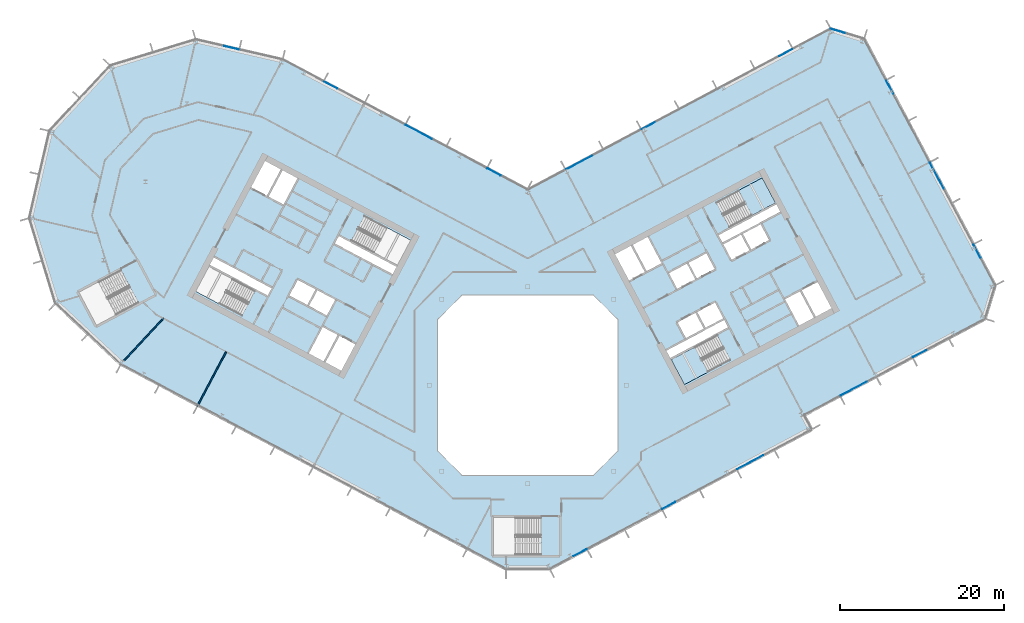
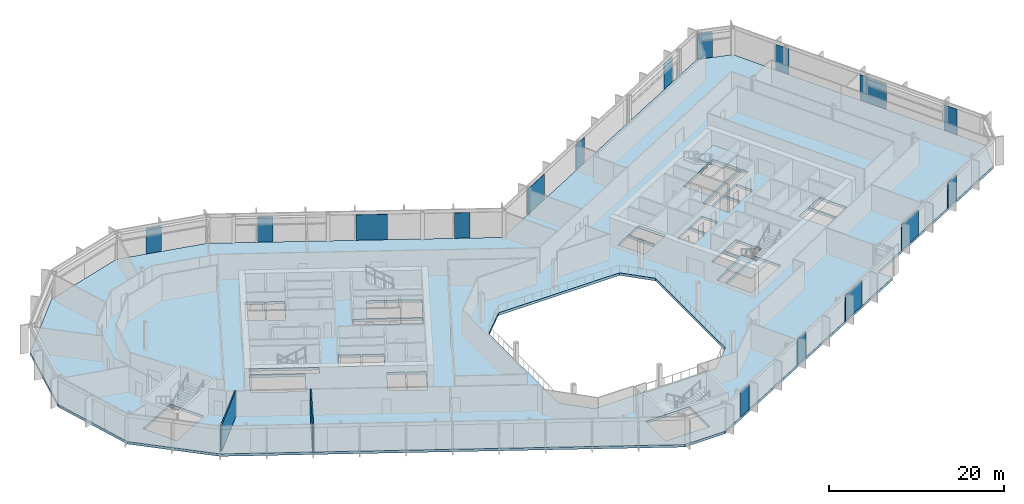
# One storey, part 12 of 28: 16 plates, 3 slabs, 2 walls, 9 elements without a shape of their own.
"""IFC4 building model written with IfcOpenShell, lengths in metres."""

from ifc_helpers import new_model, si_unit, direction, frame, frame_2d, origin, origin_2d, place, context, subcontext, project, spatial, polyline, rectangle, outline, extrude, material, layer, layer_set, type_object, element, aggregate, save


model = new_model("IFC4")

# Units and contexts
model_context = context("Model", 3, precision=1e-05, world=origin(), true_north=direction((0.0, 1.0)))
body_context = subcontext(model_context, "Body", "Model", "MODEL_VIEW")
ifc_project = project(units=[si_unit("LENGTHUNIT", "METRE"), si_unit("AREAUNIT", "SQUARE_METRE"), si_unit("VOLUMEUNIT", "CUBIC_METRE"), si_unit("PLANEANGLEUNIT", "RADIAN"), si_unit("MASSUNIT", "GRAM", prefix="KILO")], contexts=[model_context])

# Site, building, storey
site_placement = place(None, origin())
site = spatial("IfcSite", under=ifc_project, at=site_placement, CompositionType="ELEMENT")
building_placement = place(site_placement, origin())
building = spatial("IfcBuilding", under=site, at=building_placement, Name="Cormorant Relay Tower", CompositionType="ELEMENT")
storey_placement = place(building_placement, frame((0.0, 0.0, 126.199951171875)))
storey = spatial("IfcBuildingStorey", under=building, at=storey_placement, Name="L25", CompositionType="ELEMENT", Elevation=126.199951171875)

# Curtain wall, plates
ifc_material_1 = material(Name="Aluminium 6063-T6 anodised bronze", Category="aluminium")
ifc_layer_1 = layer(ifc_material_1, 0.199951171875)
ifc_layer_set_1 = layer_set([ifc_layer_1], Name="CW1 unitised bronze curtain wall with vertical fins")
curtain_wall_type = type_object("IfcCurtainWallType", Name="CW1 unitised bronze curtain wall with vertical fins", PredefinedType="NOTDEFINED", material=ifc_layer_set_1)
curtain_wall_1_placement = place(storey_placement, origin())
curtain_wall_1 = element("IfcCurtainWall", 1, at=curtain_wall_1_placement, inside=storey, type_object=curtain_wall_type, Name="CW1 curtain wall 2", PredefinedType="NOTDEFINED")
ifc_material_2 = material(Name="Tinted laminated glass", Category="glass")
ifc_layer_2 = layer(ifc_material_2, 0.0400390625)
ifc_layer_set_2 = layer_set([ifc_layer_2], Name="CW1 tinted vision panel 1800 module")
plate_type_1 = type_object("IfcPlateType", Name="CW1 tinted vision panel 1800 module", PredefinedType="CURTAIN_PANEL", material=ifc_layer_set_2)
plate_1_placement = place(storey_placement, frame((6.359130859375, -20.42529296875, 0.0), z_axis=(0.0, 0.0, 1.0), x_axis=(0.882947592859, 0.469471562786, 0.0)))
plate_1 = element("IfcPlate", 2, at=plate_1_placement, type_object=plate_type_1, Name="CW1 panel V01", PredefinedType="CURTAIN_PANEL", context=body_context, shape_type="SweptSolid", body=[
    extrude(rectangle(XDim=1.800048828125, YDim=0.0400390625, at=origin_2d()), origin(), (0.0, 0.0, 1.0), 3.550048828125),
])
plate_2_placement = place(storey_placement, frame((17.20458984375, -14.65869140625, 0.0), z_axis=(0.0, 0.0, 1.0), x_axis=(0.882947592859, 0.469471562786, 0.0)))
plate_2 = element("IfcPlate", 3, at=plate_2_placement, type_object=plate_type_1, Name="CW1 panel V03", PredefinedType="CURTAIN_PANEL", context=body_context, shape_type="SweptSolid", body=[
    extrude(rectangle(XDim=1.800048828125, YDim=0.0400390625, at=origin_2d()), origin(), (0.0, 0.0, 1.0), 3.550048828125),
])

# Curtain wall, plate
curtain_wall_2_placement = place(storey_placement, origin())
curtain_wall_2 = element("IfcCurtainWall", 4, at=curtain_wall_2_placement, inside=storey, type_object=curtain_wall_type, Name="CW1 curtain wall 4", PredefinedType="NOTDEFINED")
plate_3_placement = place(storey_placement, frame((47.757080078125, 3.851318359375, 0.0), z_axis=(0.0, 0.0, 1.0), x_axis=(0.882947592859, 0.469471562786, 0.0)))
plate_3 = element("IfcPlate", 5, at=plate_3_placement, type_object=plate_type_1, Name="CW1 panel V03", PredefinedType="CURTAIN_PANEL", context=body_context, shape_type="SweptSolid", body=[
    extrude(rectangle(XDim=1.800048828125, YDim=0.0400390625, at=origin_2d()), origin(), (0.0, 0.0, 1.0), 3.550048828125),
])

# Curtain wall, plates
curtain_wall_3_placement = place(storey_placement, origin())
curtain_wall_3 = element("IfcCurtainWall", 6, at=curtain_wall_3_placement, inside=storey, type_object=curtain_wall_type, Name="CW1 curtain wall 6", PredefinedType="NOTDEFINED")
plate_4_placement = place(storey_placement, frame((54.771728515625, 16.315185546875, 0.0), z_axis=(0.0, 0.0, 1.0), x_axis=(-0.469471562786, 0.882947592859, 0.0)))
plate_4 = element("IfcPlate", 7, at=plate_4_placement, type_object=plate_type_1, Name="CW1 panel V01", PredefinedType="CURTAIN_PANEL", context=body_context, shape_type="SweptSolid", body=[
    extrude(rectangle(XDim=1.800048828125, YDim=0.0400390625, at=origin_2d()), origin(), (0.0, 0.0, 1.0), 3.550048828125),
])
plate_5_placement = place(storey_placement, frame((44.13037109375, 36.32861328125, 0.0), z_axis=(0.0, 0.0, 1.0), x_axis=(-0.469471562786, 0.882947592859, 0.0)))
plate_5 = element("IfcPlate", 8, at=plate_5_placement, type_object=plate_type_1, Name="CW1 panel V05", PredefinedType="CURTAIN_PANEL", context=body_context, shape_type="SweptSolid", body=[
    extrude(rectangle(XDim=1.800048828125, YDim=0.0400390625, at=origin_2d()), origin(), (0.0, 0.0, 1.0), 3.550048828125),
])

# Curtain wall, plate
curtain_wall_4_placement = place(storey_placement, origin())
curtain_wall_4 = element("IfcCurtainWall", 9, at=curtain_wall_4_placement, inside=storey, type_object=curtain_wall_type, Name="CW1 curtain wall 7", PredefinedType="NOTDEFINED")
plate_6_placement = place(storey_placement, frame((37.8037109375, 43.179931640625, 0.0), z_axis=(0.0, 0.0, 1.0), x_axis=(-0.956304755963, 0.292371704723, 0.0)))
plate_6 = element("IfcPlate", 10, at=plate_6_placement, type_object=plate_type_1, Name="CW1 panel V01", PredefinedType="CURTAIN_PANEL", context=body_context, shape_type="SweptSolid", body=[
    extrude(rectangle(XDim=1.800048828125, YDim=0.0400390625, at=origin_2d()), origin(), (0.0, 0.0, 1.0), 3.550048828125),
])
aggregate(curtain_wall_4, [plate_6])

# Curtain wall, plates
curtain_wall_5_placement = place(storey_placement, origin())
curtain_wall_5 = element("IfcCurtainWall", 11, at=curtain_wall_5_placement, inside=storey, type_object=curtain_wall_type, Name="CW1 curtain wall 8", PredefinedType="NOTDEFINED")
plate_7_placement = place(storey_placement, frame((31.449951171875, 40.52880859375, 0.0), z_axis=(0.0, 0.0, 1.0), x_axis=(-0.882947592859, -0.469471562786, 0.0)))
plate_7 = element("IfcPlate", 12, at=plate_7_placement, type_object=plate_type_1, Name="CW1 panel V01", PredefinedType="CURTAIN_PANEL", context=body_context, shape_type="SweptSolid", body=[
    extrude(rectangle(XDim=1.800048828125, YDim=0.0400390625, at=origin_2d()), origin(), (0.0, 0.0, 1.0), 3.550048828125),
])
plate_8_placement = place(storey_placement, frame((14.702880859375, 31.624267578125, 0.0), z_axis=(0.0, 0.0, 1.0), x_axis=(-0.882947592859, -0.469471562786, 0.0)))
plate_8 = element("IfcPlate", 13, at=plate_8_placement, type_object=plate_type_1, Name="CW1 panel V04", PredefinedType="CURTAIN_PANEL", context=body_context, shape_type="SweptSolid", body=[
    extrude(rectangle(XDim=1.800048828125, YDim=0.0400390625, at=origin_2d()), origin(), (0.0, 0.0, 1.0), 3.550048828125),
])

curtain_wall_6_placement = place(storey_placement, origin())
curtain_wall_6 = element("IfcCurtainWall", 14, at=curtain_wall_6_placement, inside=storey, type_object=curtain_wall_type, Name="CW1 curtain wall 9", PredefinedType="NOTDEFINED")
plate_9_placement = place(storey_placement, frame((-4.108642578125, 25.9912109375, 0.0), z_axis=(0.0, 0.0, 1.0), x_axis=(-0.882947592859, 0.469471562786, 0.0)))
plate_9 = element("IfcPlate", 15, at=plate_9_placement, type_object=plate_type_1, Name="CW1 panel V01", PredefinedType="CURTAIN_PANEL", context=body_context, shape_type="SweptSolid", body=[
    extrude(rectangle(XDim=1.800048828125, YDim=0.0400390625, at=origin_2d()), origin(), (0.0, 0.0, 1.0), 3.550048828125),
])
plate_10_placement = place(storey_placement, frame((-24.0244140625, 36.580810546875, 0.0), z_axis=(0.0, 0.0, 1.0), x_axis=(-0.882947592859, 0.469471562786, 0.0)))
plate_10 = element("IfcPlate", 16, at=plate_10_placement, type_object=plate_type_1, Name="CW1 panel V05", PredefinedType="CURTAIN_PANEL", context=body_context, shape_type="SweptSolid", body=[
    extrude(rectangle(XDim=1.800048828125, YDim=0.0400390625, at=origin_2d()), origin(), (0.0, 0.0, 1.0), 3.550048828125),
])

# Curtain wall, plate
curtain_wall_7_placement = place(storey_placement, origin())
curtain_wall_7 = element("IfcCurtainWall", 17, at=curtain_wall_7_placement, inside=storey, type_object=curtain_wall_type, Name="CW1 curtain wall 10", PredefinedType="NOTDEFINED")
plate_11_placement = place(storey_placement, frame((-36.114990234375, 41.129638671875, 0.0), z_axis=(0.0, 0.0, 1.0), x_axis=(-0.974370064785, 0.224951054344, 0.0)))
plate_11 = element("IfcPlate", 18, at=plate_11_placement, type_object=plate_type_1, Name="CW1 panel V01", PredefinedType="CURTAIN_PANEL", context=body_context, shape_type="SweptSolid", body=[
    extrude(rectangle(XDim=1.800048828125, YDim=0.0400390625, at=origin_2d()), origin(), (0.0, 0.0, 1.0), 3.550048828125),
])
aggregate(curtain_wall_7, [plate_11])

# Plate
ifc_material_3 = material(Name="Tinted laminated glass", Category="glass")
ifc_layer_3 = layer(ifc_material_3, 0.0400390625)
ifc_layer_set_3 = layer_set([ifc_layer_3], Name="CW1 tinted vision panel 3600 module")
plate_type_2 = type_object("IfcPlateType", Name="CW1 tinted vision panel 3600 module", PredefinedType="CURTAIN_PANEL", material=ifc_layer_set_3)
plate_12_placement = place(storey_placement, frame((27.122802734375, -9.38525390625, 0.0), z_axis=(0.0, 0.0, 1.0), x_axis=(0.882947592859, 0.469471562786, 0.0)))
plate_12 = element("IfcPlate", 19, at=plate_12_placement, type_object=plate_type_2, Name="CW1 panel V05", PredefinedType="CURTAIN_PANEL", context=body_context, shape_type="SweptSolid", body=[
    extrude(rectangle(XDim=3.60009765625, YDim=0.0400390625, at=origin_2d()), origin(), (0.0, 0.0, 1.0), 3.550048828125),
])

aggregate(curtain_wall_1, [plate_1, plate_2, plate_12])

plate_13_placement = place(storey_placement, frame((39.72216796875, -0.4208984375, 0.0), z_axis=(0.0, 0.0, 1.0), x_axis=(0.882947592859, 0.469471562786, 0.0)))
plate_13 = element("IfcPlate", 20, at=plate_13_placement, type_object=plate_type_2, Name="CW1 panel V01", PredefinedType="CURTAIN_PANEL", context=body_context, shape_type="SweptSolid", body=[
    extrude(rectangle(XDim=3.60009765625, YDim=0.0400390625, at=origin_2d()), origin(), (0.0, 0.0, 1.0), 3.550048828125),
])

aggregate(curtain_wall_2, [plate_13, plate_3])

plate_14_placement = place(storey_placement, frame((49.87353515625, 25.527099609375, 0.0), z_axis=(0.0, 0.0, 1.0), x_axis=(-0.469471562786, 0.882947592859, 0.0)))
plate_14 = element("IfcPlate", 21, at=plate_14_placement, type_object=plate_type_2, Name="CW1 panel V03", PredefinedType="CURTAIN_PANEL", context=body_context, shape_type="SweptSolid", body=[
    extrude(rectangle(XDim=3.60009765625, YDim=0.0400390625, at=origin_2d()), origin(), (0.0, 0.0, 1.0), 3.550048828125),
])

aggregate(curtain_wall_3, [plate_4, plate_14, plate_5])

plate_15_placement = place(storey_placement, frame((6.26318359375, 27.136962890625, 0.0), z_axis=(0.0, 0.0, 1.0), x_axis=(-0.882947592859, -0.469471562786, 0.0)))
plate_15 = element("IfcPlate", 22, at=plate_15_placement, type_object=plate_type_2, Name="CW1 panel V06", PredefinedType="CURTAIN_PANEL", context=body_context, shape_type="SweptSolid", body=[
    extrude(rectangle(XDim=3.60009765625, YDim=0.0400390625, at=origin_2d()), origin(), (0.0, 0.0, 1.0), 3.550048828125),
])

aggregate(curtain_wall_5, [plate_7, plate_8, plate_15])

plate_16_placement = place(storey_placement, frame((-13.27197265625, 30.86328125, 0.0), z_axis=(0.0, 0.0, 1.0), x_axis=(-0.882947592859, 0.469471562786, 0.0)))
plate_16 = element("IfcPlate", 23, at=plate_16_placement, type_object=plate_type_2, Name="CW1 panel V03", PredefinedType="CURTAIN_PANEL", context=body_context, shape_type="SweptSolid", body=[
    extrude(rectangle(XDim=3.60009765625, YDim=0.0400390625, at=origin_2d()), origin(), (0.0, 0.0, 1.0), 3.550048828125),
])

aggregate(curtain_wall_6, [plate_9, plate_16, plate_10])

# Stair, slab
ifc_material_4 = material(Name="Concrete 40 MPa", Category="concrete")
stair_type = type_object("IfcStairType", Name="Exit stair 1500", PredefinedType="HALF_TURN_STAIR", material=ifc_material_4)
stair_1_placement = place(storey_placement, origin())
stair_1 = element("IfcStair", 24, at=stair_1_placement, inside=storey, type_object=stair_type, Name="L25 Stair", PredefinedType="HALF_TURN_STAIR")
ifc_material_5 = material(Name="Concrete 40 MPa", Category="concrete")
ifc_layer_4 = layer(ifc_material_5, 0.199951171875)
ifc_layer_set_4 = layer_set([ifc_layer_4], Name="Exit stair landing 200")
slab_type_1 = type_object("IfcSlabType", Name="Exit stair landing 200", PredefinedType="LANDING", material=ifc_layer_set_4)
slab_1_placement = place(storey_placement, frame((0.0, 0.0, 1.800048828125)))
slab_1 = element("IfcSlab", 25, at=slab_1_placement, type_object=slab_type_1, Name="B1 landing 1", PredefinedType="LANDING", context=body_context, shape_type="SweptSolid", body=[
    extrude(outline(polyline([(20.36767578125, 4.6572265625), (17.48046875, 3.1220703125), (19.10009765625, 0.075927734375), (21.9873046875, 1.611083984375), (20.36767578125, 4.6572265625)])), origin(), (0.0, 0.0, 1.0), 0.199951171875),
])
aggregate(stair_1, [slab_1])

stair_2_placement = place(storey_placement, origin())
stair_2 = element("IfcStair", 26, at=stair_2_placement, inside=storey, type_object=stair_type, Name="L25 Stair", PredefinedType="HALF_TURN_STAIR")
slab_2_placement = place(storey_placement, frame((0.0, 0.0, 1.800048828125)))
slab_2 = element("IfcSlab", 27, at=slab_2_placement, type_object=slab_type_1, Name="B2 landing 1", PredefinedType="LANDING", context=body_context, shape_type="SweptSolid", body=[
    extrude(outline(polyline([(27.3115234375, 20.6943359375), (30.19873046875, 22.2294921875), (28.5791015625, 25.275634765625), (25.69189453125, 23.740478515625), (27.3115234375, 20.6943359375)])), origin(), (0.0, 0.0, 1.0), 0.199951171875),
])
aggregate(stair_2, [slab_2])

# Slab
ifc_material_6 = material(Name="Concrete 40 MPa", Category="concrete")
ifc_layer_5 = layer(ifc_material_6, 0.360107421875)
ifc_layer_set_5 = layer_set([ifc_layer_5], Name="Flat plate 360")
slab_type_2 = type_object("IfcSlabType", Name="Flat plate 360", PredefinedType="FLOOR", material=ifc_layer_set_5)
slab_3_placement = place(storey_placement, frame((0.0, 0.0, -0.35986328125)))
element("IfcSlab", 28, at=slab_3_placement, inside=storey, type_object=slab_type_2, Name="Floor slab L25", PredefinedType="FLOOR", context=body_context, shape_type="SweptSolid", body=[
    extrude(outline(polyline([(-60.7197265625, 20.393310546875), (-58.2744140625, 30.985107421875), (-50.86083984375, 38.935302734375), (-40.465576171875, 42.11328125), (-29.873779296875, 39.668212890625), (0.0, 23.783935546875), (36.937255859375, 43.423828125), (40.99462890625, 42.18359375), (56.95654296875, 12.1630859375), (55.71630859375, 8.10595703125), (33.642578125, -3.630859375), (34.581298828125, -5.396728515625), (2.648681640625, -22.37548828125), (-2.648681640625, -22.37548828125), (-49.591552734375, 2.584228515625), (-57.541748046875, 9.997802734375), (-60.7197265625, 20.393310546875)]), holes=[polyline([(11.0, -8.0), (11.0, 8.0), (8.0, 11.0), (-8.0, 11.0), (-11.0, 8.0), (-11.0, -8.0), (-8.0, -11.0), (8.0, -11.0), (11.0, -8.0)]), polyline([(-4.199951171875, -16.125), (-4.199951171875, -20.675048828125), (1.60009765625, -20.675048828125), (1.60009765625, -16.125), (-4.199951171875, -16.125)]), polyline([(-22.95458984375, 6.03271484375), (-24.668212890625, 2.81005859375), (-22.725830078125, 1.777099609375), (-21.01220703125, 5.0), (-23.04296875, 6.07958984375), (-22.95458984375, 6.03271484375)]), polyline([(-24.985595703125, 7.112548828125), (-26.69921875, 3.889892578125), (-24.844970703125, 2.90380859375), (-23.13134765625, 6.126708984375), (-23.04296875, 6.07958984375), (-24.985595703125, 7.112548828125)]), polyline([(-24.481201171875, 8.48681640625), (-23.448486328125, 10.42919921875), (-25.656005859375, 11.602783203125), (-26.688720703125, 9.660400390625), (-24.481201171875, 8.48681640625)]), polyline([(-49.57861328125, 14.0537109375), (-54.69970703125, 11.330810546875), (-52.563720703125, 7.3134765625), (-47.442626953125, 10.036376953125), (-49.57861328125, 14.0537109375)]), polyline([(-25.83251953125, 11.69677734375), (-28.039794921875, 12.870361328125), (-29.07275390625, 10.927978515625), (-26.865234375, 9.75439453125), (-25.83251953125, 11.69677734375)]), polyline([(-38.847900390625, 14.483154296875), (-40.46728515625, 11.43701171875), (-34.860595703125, 8.455810546875), (-33.240966796875, 11.502197265625), (-38.847900390625, 14.483154296875)]), polyline([(-38.260986328125, 15.5869140625), (-38.75390625, 14.659912109375), (-31.690185546875, 10.904052734375), (-31.197265625, 11.8310546875), (-38.260986328125, 15.5869140625)]), polyline([(14.3056640625, 13.779052734375), (12.592041015625, 17.001708984375), (10.649658203125, 15.968994140625), (12.36328125, 12.74609375), (14.39404296875, 13.825927734375), (14.3056640625, 13.779052734375)]), polyline([(16.33642578125, 14.85888671875), (14.622802734375, 18.08154296875), (12.768798828125, 17.095703125), (14.482421875, 13.872802734375), (14.39404296875, 13.825927734375), (16.33642578125, 14.85888671875)]), polyline([(-16.481689453125, 13.520263671875), (-15.989013671875, 14.447509765625), (-23.052490234375, 18.203125), (-23.54541015625, 17.276123046875), (-16.481689453125, 13.520263671875)]), polyline([(-21.501708984375, 17.605224609375), (-15.89501953125, 14.6240234375), (-14.275390625, 17.670166015625), (-19.882080078125, 20.6513671875), (-21.501708984375, 17.605224609375)]), polyline([(-31.611572265625, 22.980712890625), (-29.75732421875, 21.99462890625), (-28.043701171875, 25.217529296875), (-29.89794921875, 26.203369140625), (-31.611572265625, 22.980712890625)]), polyline([(-32.01708984375, 27.330078125), (-33.73046875, 24.107421875), (-31.7880859375, 23.074462890625), (-30.074462890625, 26.29736328125), (-32.01708984375, 27.330078125)]), polyline([(17.48046875, 3.1220703125), (19.10009765625, 0.07568359375), (24.706787109375, 3.056884765625), (23.087158203125, 6.10302734375), (17.48046875, 3.1220703125)]), polyline([(16.8935546875, 4.2255859375), (17.386474609375, 3.298583984375), (24.4501953125, 7.054443359375), (23.957275390625, 7.9814453125), (16.8935546875, 4.2255859375)]), polyline([(20.446533203125, 8.8330078125), (18.239013671875, 7.6591796875), (19.27197265625, 5.716796875), (21.479248046875, 6.890380859375), (20.446533203125, 8.8330078125)]), polyline([(21.656005859375, 6.984375), (23.86328125, 8.158203125), (22.830322265625, 10.1005859375), (20.623046875, 8.927001953125), (21.656005859375, 6.984375)]), polyline([(33.197021484375, 11.478515625), (31.3427734375, 10.49267578125), (33.056396484375, 7.27001953125), (34.910400390625, 8.255859375), (33.197021484375, 11.478515625)]), polyline([(33.37353515625, 11.572509765625), (35.087158203125, 8.349609375), (37.029541015625, 9.382568359375), (35.31591796875, 12.605224609375), (33.37353515625, 11.572509765625)]), polyline([(17.19384765625, 13.67236328125), (18.2265625, 11.72998046875), (20.43408203125, 12.903564453125), (19.401123046875, 14.84619140625), (17.19384765625, 13.67236328125)]), polyline([(20.610595703125, 12.99755859375), (22.81787109375, 14.171142578125), (21.78515625, 16.113525390625), (19.57763671875, 14.93994140625), (20.610595703125, 12.99755859375)]), polyline([(26.023193359375, 18.3671875), (23.81591796875, 17.193359375), (24.8486328125, 15.2509765625), (27.05615234375, 16.424560546875), (26.023193359375, 18.3671875)]), polyline([(29.440185546875, 17.692138671875), (28.4072265625, 19.634765625), (26.19970703125, 18.4609375), (27.232666015625, 16.5185546875), (29.440185546875, 17.692138671875)]), polyline([(30.78564453125, 21.125732421875), (30.29248046875, 22.052978515625), (23.22900390625, 18.297119140625), (23.721923828125, 17.3701171875), (30.78564453125, 21.125732421875)]), polyline([(24.592041015625, 19.248291015625), (30.19873046875, 22.2294921875), (28.5791015625, 25.275634765625), (22.972412109375, 22.29443359375), (24.592041015625, 19.248291015625)])]), origin(), (0.0, 0.0, 1.0), 0.35986328125),
])

# Walls
ifc_material_7 = material(Name="Gypsum board partition")
ifc_layer_6 = layer(ifc_material_7, 0.14990234375)
ifc_layer_set_6 = layer_set([ifc_layer_6], Name="Tenant partition 150")
wall_type = type_object("IfcWallType", Name="Tenant partition 150", PredefinedType="PARTITIONING", material=ifc_layer_set_6)
wall_1_placement = place(storey_placement, frame((-44.402099609375, 8.14892578125, 0.0), z_axis=(0.0, 0.0, 1.0), x_axis=(-0.682039957921, -0.731314908777, 0.0)))
element("IfcWall", 29, at=wall_1_placement, inside=storey, type_object=wall_type, Name="wall/L25/part/011", PredefinedType="PARTITIONING", context=body_context, shape_type="SweptSolid", body=[
    extrude(rectangle(XDim=7.0654296875, YDim=0.14990234375, at=frame_2d((3.53271484375, 0.0))), origin(), (0.0, 0.0, 1.0), 3.64013671875),
])
wall_2_placement = place(storey_placement, frame((-36.751953125, 4.08203125, 0.0), z_axis=(0.0, 0.0, 1.0), x_axis=(-0.46955237308, -0.88290462052, 0.0)))
element("IfcWall", 30, at=wall_2_placement, inside=storey, type_object=wall_type, Name="wall/L25/part/012", PredefinedType="PARTITIONING", context=body_context, shape_type="SweptSolid", body=[
    extrude(rectangle(XDim=7.550048828125, YDim=0.14990234375, at=frame_2d((3.77490234375, 0.0))), origin(), (0.0, 0.0, 1.0), 3.64013671875),
])

save(model, "model.ifc")
